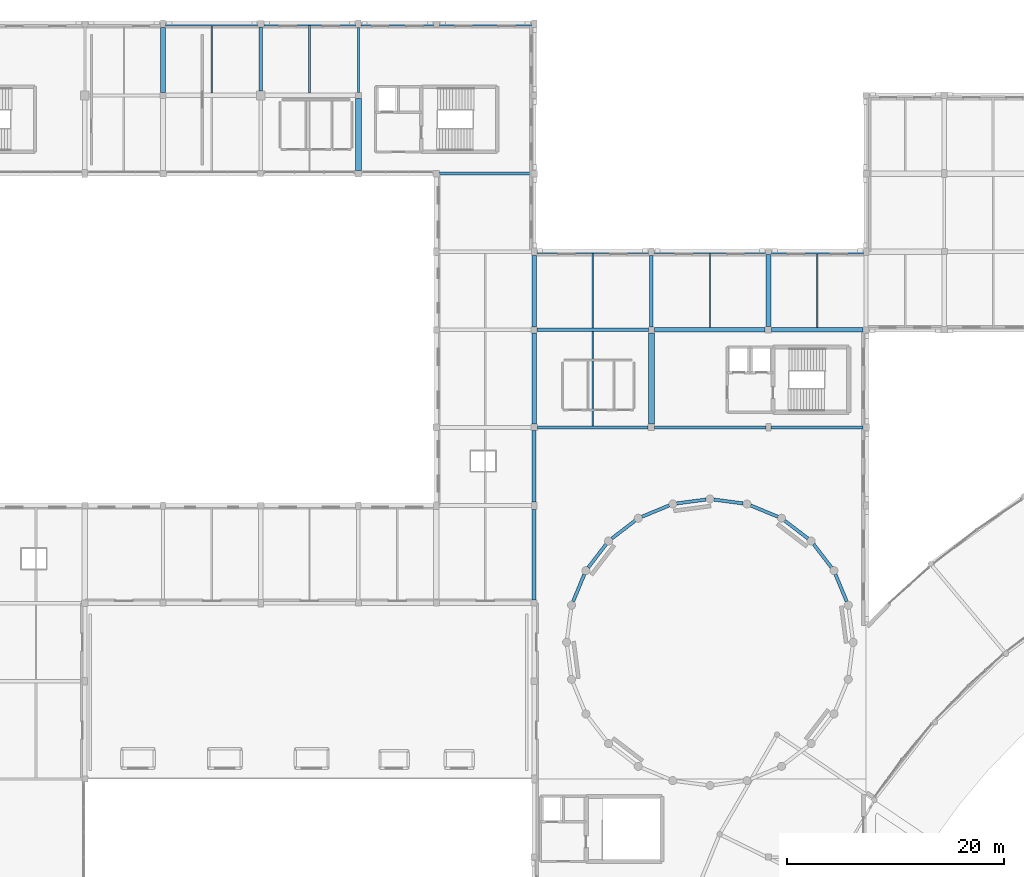
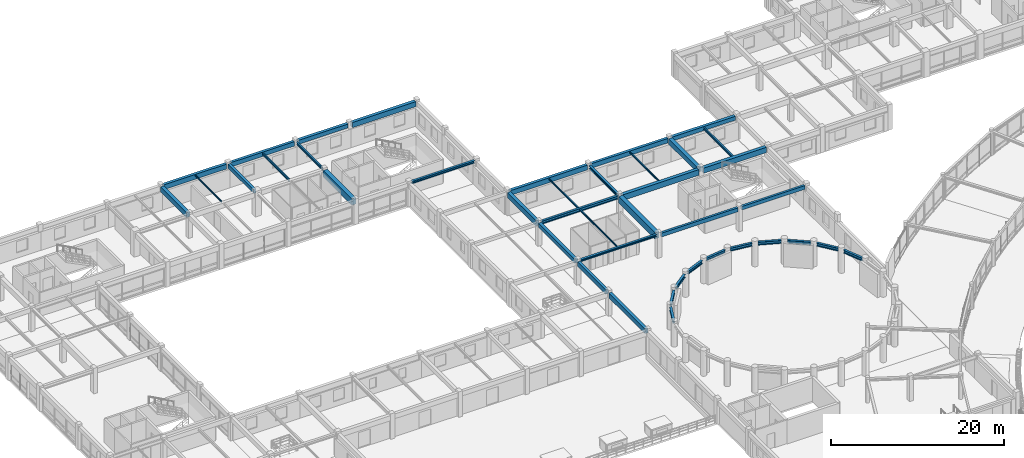
# One storey, part 27 of 74: 41 beams.
"""IFC4 building model written with IfcOpenShell, lengths in metres."""

from ifc_helpers import new_model, si_unit, direction, frame, origin, origin_2d, place, context, subcontext, project, spatial, rectangle, i_section, extrude, material, material_profile, profile_set, type_object, element, save


model = new_model("IFC4")

# Units and contexts
model_context = context("Model", 3, precision=1e-05, world=origin(), true_north=direction((0.0, 1.0)))
body_context = subcontext(model_context, "Body", "Model", "MODEL_VIEW")
ifc_project = project(units=[si_unit("LENGTHUNIT", "METRE"), si_unit("AREAUNIT", "SQUARE_METRE"), si_unit("VOLUMEUNIT", "CUBIC_METRE"), si_unit("PLANEANGLEUNIT", "RADIAN"), si_unit("MASSUNIT", "GRAM", prefix="KILO")], contexts=[model_context])

# Site, building, storey
site_placement = place(None, origin())
site = spatial("IfcSite", under=ifc_project, at=site_placement, CompositionType="ELEMENT")
building_placement = place(site_placement, origin())
building = spatial("IfcBuilding", under=site, at=building_placement, Name="Clarverna Civic Hall", CompositionType="ELEMENT")
storey_placement = place(building_placement, frame((0.0, 0.0, 9.60009765625)))
storey = spatial("IfcBuildingStorey", under=building, at=storey_placement, Name="L02", CompositionType="ELEMENT", Elevation=9.60009765625)

# Beams
ifc_material_1 = material(Name="Concrete C35/45", Category="concrete")
ifc_material_profile_1 = material_profile(ifc_material_1, rectangle(XDim=0.300048828125, YDim=0.550048828125, at=origin_2d()), Name="RC 300x550")
ifc_profile_set_1 = profile_set([ifc_material_profile_1], Name="Concrete C35/45")
beam_type_1 = type_object("IfcBeamType", Name="B-RC11", PredefinedType="BEAM", material=ifc_profile_set_1)
beam_1_placement = place(storey_placement, frame((77.699951171875, 78.800048828125, 3.0048828125), z_axis=(1.0, 0.0, 0.0), x_axis=(0.0, 1.0, 0.0)))
element("IfcBeam", 1, at=beam_1_placement, inside=storey, type_object=beam_type_1, Name="B-RC11-027", PredefinedType="BEAM", context=body_context, shape_type="SweptSolid", body=[
    extrude(rectangle(XDim=0.300048828125, YDim=0.550048828125, at=origin_2d()), origin(), (0.0, 0.0, 1.0), 10.25),
])
ifc_material_profile_2 = material_profile(ifc_material_1, rectangle(XDim=0.300048828125, YDim=0.5, at=origin_2d()), Name="RC 300x500")
ifc_profile_set_2 = profile_set([ifc_material_profile_2], Name="Concrete C35/45")
beam_type_2 = type_object("IfcBeamType", Name="B-RC12", PredefinedType="BEAM", material=ifc_profile_set_2)
beam_2_placement = place(storey_placement, frame((88.449951171875, 78.800048828125, 3.02978515625), z_axis=(1.0, 0.0, 0.0), x_axis=(0.0, 1.0, 0.0)))
element("IfcBeam", 2, at=beam_2_placement, inside=storey, type_object=beam_type_2, Name="B-RC12-038", PredefinedType="BEAM", context=body_context, shape_type="SweptSolid", body=[
    extrude(rectangle(XDim=0.300048828125, YDim=0.5, at=origin_2d()), origin(), (0.0, 0.0, 1.0), 8.449951171875),
])
ifc_material_profile_3 = material_profile(ifc_material_1, rectangle(XDim=0.550048828125, YDim=0.89990234375, at=origin_2d()), Name="RC 550x900")
ifc_profile_set_3 = profile_set([ifc_material_profile_3], Name="Concrete C35/45")
beam_type_3 = type_object("IfcBeamType", Name="B-RC13", PredefinedType="BEAM", material=ifc_profile_set_3)
beam_3_placement = place(storey_placement, frame((50.39990234375, 102.5, 2.869873046875), z_axis=(0.0, 1.0, 0.0), x_axis=(-1.0, 0.0, 0.0)))
element("IfcBeam", 3, at=beam_3_placement, inside=storey, type_object=beam_type_3, Name="B-RC13-028", PredefinedType="BEAM", context=body_context, shape_type="SweptSolid", body=[
    extrude(rectangle(XDim=0.550048828125, YDim=0.89990234375, at=origin_2d()), origin(), (0.0, 0.0, 1.0), 6.625),
])
beam_4_placement = place(storey_placement, frame((77.39990234375, 79.10009765625, 2.829833984375), z_axis=(0.0, 1.0, 0.0), x_axis=(-1.0, 0.0, 0.0)))
element("IfcBeam", 4, at=beam_4_placement, inside=storey, type_object=beam_type_3, Name="B-RC13-029", PredefinedType="BEAM", context=body_context, shape_type="SweptSolid", body=[
    extrude(rectangle(XDim=0.550048828125, YDim=0.89990234375, at=origin_2d()), origin(), (0.0, 0.0, 1.0), 8.4248046875),
])
ifc_material_profile_4 = material_profile(ifc_material_1, rectangle(XDim=0.5, YDim=0.75, at=origin_2d()), Name="RC 500x750")
ifc_profile_set_4 = profile_set([ifc_material_profile_4], Name="Concrete C35/45")
beam_type_4 = type_object("IfcBeamType", Name="B-RC15", PredefinedType="BEAM", material=ifc_profile_set_4)
beam_5_placement = place(storey_placement, frame((88.199951171875, 88.10009765625, 2.90478515625), z_axis=(0.0, 1.0, 0.0), x_axis=(-1.0, 0.0, 0.0)))
element("IfcBeam", 5, at=beam_5_placement, inside=storey, type_object=beam_type_4, Name="B-RC15-041", PredefinedType="BEAM", context=body_context, shape_type="SweptSolid", body=[
    extrude(rectangle(XDim=0.5, YDim=0.75, at=origin_2d()), origin(), (0.0, 0.0, 1.0), 6.625),
])
ifc_material_profile_5 = material_profile(ifc_material_1, rectangle(XDim=0.449951171875, YDim=0.800048828125, at=origin_2d()), Name="RC 450x800")
ifc_profile_set_5 = profile_set([ifc_material_profile_5], Name="Concrete C35/45")
beam_type_5 = type_object("IfcBeamType", Name="B-RC2", PredefinedType="BEAM", material=ifc_profile_set_5)
beam_6_placement = place(storey_placement, frame((77.675048828125, 87.800048828125, 2.8798828125), z_axis=(1.0, 0.0, 0.0), x_axis=(0.0, 1.0, 0.0)))
element("IfcBeam", 6, at=beam_6_placement, inside=storey, type_object=beam_type_5, Name="B-RC2-025", PredefinedType="BEAM", context=body_context, shape_type="SweptSolid", body=[
    extrude(rectangle(XDim=0.449951171875, YDim=0.800048828125, at=origin_2d()), origin(), (0.0, 0.0, 1.0), 10.224853515625),
])
ifc_material_profile_6 = material_profile(ifc_material_1, rectangle(XDim=0.449951171875, YDim=0.75, at=origin_2d()), Name="RC 450x750")
ifc_profile_set_6 = profile_set([ifc_material_profile_6], Name="Concrete C35/45")
beam_type_6 = type_object("IfcBeamType", Name="B-RC3", PredefinedType="BEAM", material=ifc_profile_set_6)
beam_7_placement = place(storey_placement, frame((88.5, 87.800048828125, 2.90478515625), z_axis=(1.0, 0.0, 0.0), x_axis=(0.0, 1.0, 0.0)))
element("IfcBeam", 7, at=beam_7_placement, inside=storey, type_object=beam_type_6, Name="B-RC3-029", PredefinedType="BEAM", context=body_context, shape_type="SweptSolid", body=[
    extrude(rectangle(XDim=0.449951171875, YDim=0.75, at=origin_2d()), origin(), (0.0, 0.0, 1.0), 8.425048828125),
])
ifc_material_profile_7 = material_profile(ifc_material_1, rectangle(XDim=0.449951171875, YDim=0.699951171875, at=origin_2d()), Name="RC 450x700")
ifc_profile_set_7 = profile_set([ifc_material_profile_7], Name="Concrete C35/45")
beam_type_7 = type_object("IfcBeamType", Name="B-RC4", PredefinedType="BEAM", material=ifc_profile_set_7)
beam_8_placement = place(storey_placement, frame((32.39990234375, 109.675048828125, 2.969970703125), z_axis=(0.0, 1.0, 0.0), x_axis=(-1.0, 0.0, 0.0)))
element("IfcBeam", 8, at=beam_8_placement, inside=storey, type_object=beam_type_7, Name="B-RC4-025", PredefinedType="BEAM", context=body_context, shape_type="SweptSolid", body=[
    extrude(rectangle(XDim=0.449951171875, YDim=0.699951171875, at=origin_2d()), origin(), (0.0, 0.0, 1.0), 5.974853515625),
])
ifc_material_profile_8 = material_profile(ifc_material_1, rectangle(XDim=0.35009765625, YDim=0.550048828125, at=origin_2d()), Name="RC 350x550")
ifc_profile_set_8 = profile_set([ifc_material_profile_8], Name="Concrete C35/45")
beam_type_8 = type_object("IfcBeamType", Name="B-RC9", PredefinedType="BEAM", material=ifc_profile_set_8)
beam_9_placement = place(storey_placement, frame((41.39990234375, 109.800048828125, 3.044921875), z_axis=(0.0, 1.0, 0.0), x_axis=(-1.0, 0.0, 0.0)))
element("IfcBeam", 9, at=beam_9_placement, inside=storey, type_object=beam_type_8, Name="B-RC9-038", PredefinedType="BEAM", context=body_context, shape_type="SweptSolid", body=[
    extrude(rectangle(XDim=0.35009765625, YDim=0.550048828125, at=origin_2d()), origin(), (0.0, 0.0, 1.0), 5.89990234375),
])
ifc_material_profile_9 = material_profile(ifc_material_1, rectangle(XDim=0.419921875, YDim=0.719970703125, at=origin_2d()), Name="RC 420x720")
ifc_profile_set_9 = profile_set([ifc_material_profile_9], Name="Concrete C35/45")
beam_type_9 = type_object("IfcBeamType", Name="B-SP1", PredefinedType="SPANDREL", material=ifc_profile_set_9)
beam_10_placement = place(storey_placement, frame((57.875, 116.0, 2.9599609375), z_axis=(1.0, 0.0, 0.0), x_axis=(0.0, 1.0, 0.0)))
element("IfcBeam", 10, at=beam_10_placement, inside=storey, type_object=beam_type_9, Name="B-SP1-091", PredefinedType="SPANDREL", context=body_context, shape_type="SweptSolid", body=[
    extrude(rectangle(XDim=0.419921875, YDim=0.719970703125, at=origin_2d()), origin(), (0.0, 0.0, 1.0), 8.47509765625),
])
beam_11_placement = place(storey_placement, frame((66.60009765625, 88.074951171875, 2.919921875), z_axis=(0.0, 1.0, 0.0), x_axis=(-1.0, 0.0, 0.0)))
element("IfcBeam", 11, at=beam_11_placement, inside=storey, type_object=beam_type_9, Name="B-SP1-101", PredefinedType="SPANDREL", context=body_context, shape_type="SweptSolid", body=[
    extrude(rectangle(XDim=0.419921875, YDim=0.719970703125, at=origin_2d()), origin(), (0.0, 0.0, 1.0), 6.574951171875),
])
ifc_material_profile_10 = material_profile(ifc_material_1, rectangle(XDim=0.3798828125, YDim=0.679931640625, at=origin_2d()), Name="RC 380x680")
ifc_profile_set_10 = profile_set([ifc_material_profile_10], Name="Concrete C35/45")
beam_type_10 = type_object("IfcBeamType", Name="B-SP2", PredefinedType="SPANDREL", material=ifc_profile_set_10)
beam_12_placement = place(storey_placement, frame((66.85009765625, 95.0, 2.93994140625), z_axis=(1.0, 0.0, 0.0), x_axis=(0.0, 1.0, 0.0)))
element("IfcBeam", 12, at=beam_12_placement, inside=storey, type_object=beam_type_10, Name="B-SP2-089", PredefinedType="SPANDREL", context=body_context, shape_type="SweptSolid", body=[
    extrude(rectangle(XDim=0.3798828125, YDim=0.679931640625, at=origin_2d()), origin(), (0.0, 0.0, 1.0), 10.2998046875),
])
beam_13_placement = place(storey_placement, frame((32.64990234375, 116.0, 2.97998046875), z_axis=(1.0, 0.0, 0.0), x_axis=(0.0, 1.0, 0.0)))
element("IfcBeam", 13, at=beam_13_placement, inside=storey, type_object=beam_type_10, Name="B-SP2-094", PredefinedType="SPANDREL", context=body_context, shape_type="SweptSolid", body=[
    extrude(rectangle(XDim=0.3798828125, YDim=0.679931640625, at=origin_2d()), origin(), (0.0, 0.0, 1.0), 8.4501953125),
])
beam_14_placement = place(storey_placement, frame((66.60009765625, 62.875, 2.93994140625), z_axis=(0.0, 1.0, 0.0), x_axis=(-1.0, 0.0, 0.0)))
element("IfcBeam", 14, at=beam_14_placement, inside=storey, type_object=beam_type_10, Name="B-SP2-104", PredefinedType="SPANDREL", context=body_context, shape_type="SweptSolid", body=[
    extrude(rectangle(XDim=0.3798828125, YDim=0.679931640625, at=origin_2d()), origin(), (0.0, 0.0, 1.0), 8.375),
])
ifc_material_profile_11 = material_profile(ifc_material_1, rectangle(XDim=0.360107421875, YDim=0.6201171875, at=origin_2d()), Name="RC 360x620")
ifc_profile_set_11 = profile_set([ifc_material_profile_11], Name="Concrete C35/45")
beam_type_11 = type_object("IfcBeamType", Name="B-SP3", PredefinedType="SPANDREL", material=ifc_profile_set_11)
beam_15_placement = place(storey_placement, frame((77.64990234375, 95.0, 2.969970703125), z_axis=(1.0, 0.0, 0.0), x_axis=(0.0, 1.0, 0.0)))
element("IfcBeam", 15, at=beam_15_placement, inside=storey, type_object=beam_type_11, Name="B-SP3-089", PredefinedType="SPANDREL", context=body_context, shape_type="SweptSolid", body=[
    extrude(rectangle(XDim=0.360107421875, YDim=0.6201171875, at=origin_2d()), origin(), (0.0, 0.0, 1.0), 10.275146484375),
])
beam_16_placement = place(storey_placement, frame((41.699951171875, 116.0, 3.010009765625), z_axis=(1.0, 0.0, 0.0), x_axis=(0.0, 1.0, 0.0)))
element("IfcBeam", 16, at=beam_16_placement, inside=storey, type_object=beam_type_11, Name="B-SP3-093", PredefinedType="SPANDREL", context=body_context, shape_type="SweptSolid", body=[
    extrude(rectangle(XDim=0.360107421875, YDim=0.6201171875, at=origin_2d()), origin(), (0.0, 0.0, 1.0), 8.449951171875),
])
beam_17_placement = place(storey_placement, frame((66.60009765625, 71.949951171875, 2.969970703125), z_axis=(0.0, 1.0, 0.0), x_axis=(-1.0, 0.0, 0.0)))
element("IfcBeam", 17, at=beam_17_placement, inside=storey, type_object=beam_type_11, Name="B-SP3-102", PredefinedType="SPANDREL", context=body_context, shape_type="SweptSolid", body=[
    extrude(rectangle(XDim=0.360107421875, YDim=0.6201171875, at=origin_2d()), origin(), (0.0, 0.0, 1.0), 6.550048828125),
])
ifc_material_profile_12 = material_profile(ifc_material_1, rectangle(XDim=0.39990234375, YDim=0.56005859375, at=origin_2d()), Name="RC 400x560")
ifc_profile_set_12 = profile_set([ifc_material_profile_12], Name="Concrete C35/45")
beam_type_12 = type_object("IfcBeamType", Name="B-SP4", PredefinedType="SPANDREL", material=ifc_profile_set_12)
beam_18_placement = place(storey_placement, frame((88.47509765625, 95.0, 3.0), z_axis=(1.0, 0.0, 0.0), x_axis=(0.0, 1.0, 0.0)))
element("IfcBeam", 18, at=beam_18_placement, inside=storey, type_object=beam_type_12, Name="B-SP4-087", PredefinedType="SPANDREL", context=body_context, shape_type="SweptSolid", body=[
    extrude(rectangle(XDim=0.39990234375, YDim=0.56005859375, at=origin_2d()), origin(), (0.0, 0.0, 1.0), 8.474853515625),
])
beam_19_placement = place(storey_placement, frame((50.64990234375, 116.0, 3.039794921875), z_axis=(1.0, 0.0, 0.0), x_axis=(0.0, 1.0, 0.0)))
element("IfcBeam", 19, at=beam_19_placement, inside=storey, type_object=beam_type_12, Name="B-SP4-092", PredefinedType="SPANDREL", context=body_context, shape_type="SweptSolid", body=[
    extrude(rectangle(XDim=0.39990234375, YDim=0.56005859375, at=origin_2d()), origin(), (0.0, 0.0, 1.0), 6.675048828125),
])
beam_20_placement = place(storey_placement, frame((66.60009765625, 79.10009765625, 3.0), z_axis=(0.0, 1.0, 0.0), x_axis=(-1.0, 0.0, 0.0)))
element("IfcBeam", 20, at=beam_20_placement, inside=storey, type_object=beam_type_12, Name="B-SP4-101", PredefinedType="SPANDREL", context=body_context, shape_type="SweptSolid", body=[
    extrude(rectangle(XDim=0.39990234375, YDim=0.56005859375, at=origin_2d()), origin(), (0.0, 0.0, 1.0), 8.4248046875),
])
ifc_material_2 = material(Name="Steel S355", Category="steel")
ifc_material_profile_13 = material_profile(ifc_material_2, i_section(OverallWidth=0.300048828125, OverallDepth=0.2900390625, WebThickness=0.008544921875, FlangeThickness=0.013916015625, FilletRadius=0.027099609375, at=origin_2d()), Name="HEA 300")
ifc_profile_set_13 = profile_set([ifc_material_profile_13], Name="Steel S355")
beam_type_13 = type_object("IfcBeamType", Name="B-ST10", PredefinedType="BEAM", material=ifc_profile_set_13)
beam_21_placement = place(storey_placement, frame((66.89990234375, 78.800048828125, 3.135009765625), z_axis=(1.0, 0.0, 0.0), x_axis=(0.0, 1.0, 0.0)))
element("IfcBeam", 21, at=beam_21_placement, inside=storey, type_object=beam_type_13, Name="B-ST10-008", PredefinedType="BEAM", context=body_context, shape_type="SweptSolid", body=[
    extrude(i_section(OverallWidth=0.300048828125, OverallDepth=0.2900390625, WebThickness=0.008544921875, FlangeThickness=0.013916015625, FilletRadius=0.027099609375, at=origin_2d()), origin(), (0.0, 0.0, 1.0), 10.2001953125),
])
ifc_material_profile_14 = material_profile(ifc_material_2, i_section(OverallWidth=0.179931640625, OverallDepth=0.39990234375, WebThickness=0.008544921875, FlangeThickness=0.013427734375, FilletRadius=0.02099609375, at=origin_2d()), Name="IPE 400")
ifc_profile_set_14 = profile_set([ifc_material_profile_14], Name="Steel S355")
beam_type_14 = type_object("IfcBeamType", Name="B-ST14", PredefinedType="BEAM", material=ifc_profile_set_14)
beam_22_placement = place(storey_placement, frame((50.39990234375, 109.675048828125, 3.119873046875), z_axis=(0.0, 1.0, 0.0), x_axis=(-1.0, 0.0, 0.0)))
element("IfcBeam", 22, at=beam_22_placement, inside=storey, type_object=beam_type_14, Name="B-ST14-012", PredefinedType="BEAM", context=body_context, shape_type="SweptSolid", body=[
    extrude(i_section(OverallWidth=0.179931640625, OverallDepth=0.39990234375, WebThickness=0.008544921875, FlangeThickness=0.013427734375, FilletRadius=0.02099609375, at=origin_2d()), origin(), (0.0, 0.0, 1.0), 5.974853515625),
])
ifc_material_profile_15 = material_profile(ifc_material_2, i_section(OverallWidth=0.300048828125, OverallDepth=0.39990234375, WebThickness=0.013427734375, FlangeThickness=0.02392578125, FilletRadius=0.027099609375, at=origin_2d()), Name="HEB 400")
ifc_profile_set_15 = profile_set([ifc_material_profile_15], Name="Steel S355")
beam_type_15 = type_object("IfcBeamType", Name="B-ST4", PredefinedType="BEAM", material=ifc_profile_set_15)
beam_23_placement = place(storey_placement, frame((77.39990234375, 88.074951171875, 3.079833984375), z_axis=(0.0, 1.0, 0.0), x_axis=(-1.0, 0.0, 0.0)))
element("IfcBeam", 23, at=beam_23_placement, inside=storey, type_object=beam_type_15, Name="B-ST4-009", PredefinedType="BEAM", context=body_context, shape_type="SweptSolid", body=[
    extrude(i_section(OverallWidth=0.300048828125, OverallDepth=0.39990234375, WebThickness=0.013427734375, FlangeThickness=0.02392578125, FilletRadius=0.027099609375, at=origin_2d()), origin(), (0.0, 0.0, 1.0), 6.574951171875),
])
ifc_material_profile_16 = material_profile(ifc_material_2, i_section(OverallWidth=0.300048828125, OverallDepth=0.43994140625, WebThickness=0.011474609375, FlangeThickness=0.02099609375, FilletRadius=0.027099609375, at=origin_2d()), Name="HEA 450")
ifc_profile_set_16 = profile_set([ifc_material_profile_16], Name="Steel S355")
beam_type_16 = type_object("IfcBeamType", Name="B-ST5", PredefinedType="BEAM", material=ifc_profile_set_16)
beam_24_placement = place(storey_placement, frame((66.875, 87.800048828125, 3.059814453125), z_axis=(1.0, 0.0, 0.0), x_axis=(0.0, 1.0, 0.0)))
element("IfcBeam", 24, at=beam_24_placement, inside=storey, type_object=beam_type_16, Name="B-ST5-081", PredefinedType="BEAM", context=body_context, shape_type="SweptSolid", body=[
    extrude(i_section(OverallWidth=0.300048828125, OverallDepth=0.43994140625, WebThickness=0.011474609375, FlangeThickness=0.02099609375, FilletRadius=0.027099609375, at=origin_2d()), origin(), (0.0, 0.0, 1.0), 10.25),
])
for number, where, z_axis, x_axis, name in (
    (25, (95.412353515625, 62.7490234375, 3.059814453125), (-0.382636575073, 0.923898940045, 0.0), (-0.923898940045, -0.382636575073, 0.0), "B-ST5-085"),
    (26, (94.01220703125, 65.885498046875, 3.059814453125), (-0.608706041243, 0.793395837747, 0.0), (-0.793395837747, -0.608706041243, 0.0), "B-ST5-086"),
    (27, (91.84814453125, 68.552978515625, 3.059814453125), (-0.793352581563, 0.608762417801, 0.0), (-0.608762417801, -0.793352581563, 0.0), "B-ST5-087"),
    (28, (89.0673828125, 70.5693359375, 3.059814453125), (-0.923898940045, 0.382636575073, 0.0), (-0.382636575073, -0.923898940045, 0.0), "B-ST5-088"),
):
    element("IfcBeam", number, at=place(storey_placement, frame(where, z_axis=z_axis, x_axis=x_axis)), inside=storey, type_object=beam_type_16, Name=name, PredefinedType="BEAM", context=body_context, shape_type="SweptSolid", body=[
        extrude(i_section(OverallWidth=0.300048828125, OverallDepth=0.43994140625, WebThickness=0.011474609375, FlangeThickness=0.02099609375, FilletRadius=0.027099609375, at=origin_2d()), origin(), (0.0, 0.0, 1.0), 2.725830078125),
    ])
for number, where, z_axis, x_axis, name in (
    (29, (85.859619140625, 71.797119140625, 3.059814453125), (-0.991437826512, 0.130579616175, 0.0), (-0.130579616175, -0.991437826512, 0.0), "B-ST5-089"),
    (30, (82.443115234375, 72.153076171875, 3.059814453125), (-0.991437826512, -0.130579616175, 0.0), (0.130579616175, -0.991437826512, 0.0), "B-ST5-090"),
):
    element("IfcBeam", number, at=place(storey_placement, frame(where, z_axis=z_axis, x_axis=x_axis)), inside=storey, type_object=beam_type_16, Name=name, PredefinedType="BEAM", context=body_context, shape_type="SweptSolid", body=[
        extrude(i_section(OverallWidth=0.300048828125, OverallDepth=0.43994140625, WebThickness=0.011474609375, FlangeThickness=0.02099609375, FilletRadius=0.027099609375, at=origin_2d()), origin(), (0.0, 0.0, 1.0), 2.72607421875),
    ])
for number, where, z_axis, x_axis, name in (
    (31, (79.051025390625, 71.6123046875, 3.059814453125), (-0.923898940045, -0.382636575073, 0.0), (0.382636575073, -0.923898940045, 0.0), "B-ST5-091"),
    (32, (75.914306640625, 70.21240234375, 3.059814453125), (-0.793352581563, -0.608762417801, 0.0), (0.608762417801, -0.793352581563, 0.0), "B-ST5-092"),
    (33, (73.2470703125, 68.048095703125, 3.059814453125), (-0.608762417801, -0.793352581563, 0.0), (0.793352581563, -0.608762417801, 0.0), "B-ST5-093"),
    (34, (71.230712890625, 65.267333984375, 3.059814453125), (-0.38271302584, -0.923867273938, 0.0), (0.923867273938, -0.38271302584, 0.0), "B-ST5-094"),
):
    element("IfcBeam", number, at=place(storey_placement, frame(where, z_axis=z_axis, x_axis=x_axis)), inside=storey, type_object=beam_type_16, Name=name, PredefinedType="BEAM", context=body_context, shape_type="SweptSolid", body=[
        extrude(i_section(OverallWidth=0.300048828125, OverallDepth=0.43994140625, WebThickness=0.011474609375, FlangeThickness=0.02099609375, FilletRadius=0.027099609375, at=origin_2d()), origin(), (0.0, 0.0, 1.0), 2.725830078125),
    ])
ifc_material_profile_17 = material_profile(ifc_material_2, i_section(OverallWidth=0.300048828125, OverallDepth=0.35009765625, WebThickness=0.010009765625, FlangeThickness=0.017578125, FilletRadius=0.027099609375, at=origin_2d()), Name="HEA 360")
ifc_profile_set_17 = profile_set([ifc_material_profile_17], Name="Steel S355")
beam_type_17 = type_object("IfcBeamType", Name="B-ST7", PredefinedType="BEAM", material=ifc_profile_set_17)
beam_25_placement = place(storey_placement, frame((57.89990234375, 102.199951171875, 3.14501953125), z_axis=(1.0, 0.0, 0.0), x_axis=(0.0, 1.0, 0.0)))
element("IfcBeam", 35, at=beam_25_placement, inside=storey, type_object=beam_type_17, Name="B-ST7-011", PredefinedType="BEAM", context=body_context, shape_type="SweptSolid", body=[
    extrude(i_section(OverallWidth=0.300048828125, OverallDepth=0.35009765625, WebThickness=0.010009765625, FlangeThickness=0.017578125, FilletRadius=0.027099609375, at=origin_2d()), origin(), (0.0, 0.0, 1.0), 8.400146484375),
])
ifc_material_profile_18 = material_profile(ifc_material_2, i_section(OverallWidth=0.169921875, OverallDepth=0.360107421875, WebThickness=0.008056640625, FlangeThickness=0.0126953125, FilletRadius=0.01806640625, at=origin_2d()), Name="IPE 360")
ifc_profile_set_18 = profile_set([ifc_material_profile_18], Name="Steel S355")
beam_type_18 = type_object("IfcBeamType", Name="J-ST1", PredefinedType="JOIST", material=ifc_profile_set_18)
beam_26_placement = place(storey_placement, frame((92.699951171875, 88.02490234375, 3.099853515625), z_axis=(0.0, 1.0, 0.0), x_axis=(-1.0, 0.0, 0.0)))
element("IfcBeam", 36, at=beam_26_placement, inside=storey, type_object=beam_type_18, Name="J-ST1-055", PredefinedType="JOIST", context=body_context, shape_type="SweptSolid", body=[
    extrude(i_section(OverallWidth=0.169921875, OverallDepth=0.360107421875, WebThickness=0.008056640625, FlangeThickness=0.0126953125, FilletRadius=0.01806640625, at=origin_2d()), origin(), (0.0, 0.0, 1.0), 6.775146484375),
])
beam_27_placement = place(storey_placement, frame((45.89990234375, 109.60009765625, 3.139892578125), z_axis=(0.0, 1.0, 0.0), x_axis=(-1.0, 0.0, 0.0)))
element("IfcBeam", 37, at=beam_27_placement, inside=storey, type_object=beam_type_18, Name="J-ST1-059", PredefinedType="JOIST", context=body_context, shape_type="SweptSolid", body=[
    extrude(i_section(OverallWidth=0.169921875, OverallDepth=0.360107421875, WebThickness=0.008056640625, FlangeThickness=0.0126953125, FilletRadius=0.01806640625, at=origin_2d()), origin(), (0.0, 0.0, 1.0), 6.219970703125),
])
ifc_material_profile_19 = material_profile(ifc_material_2, i_section(OverallWidth=0.1201171875, OverallDepth=0.239990234375, WebThickness=0.006103515625, FlangeThickness=0.009765625, FilletRadius=0.014892578125, at=origin_2d()), Name="IPE 240")
ifc_profile_set_19 = profile_set([ifc_material_profile_19], Name="Steel S355")
beam_type_19 = type_object("IfcBeamType", Name="J-ST5", PredefinedType="JOIST", material=ifc_profile_set_19)
beam_28_placement = place(storey_placement, frame((72.0, 87.949951171875, 3.159912109375), z_axis=(0.0, 1.0, 0.0), x_axis=(-1.0, 0.0, 0.0)))
element("IfcBeam", 38, at=beam_28_placement, inside=storey, type_object=beam_type_19, Name="J-ST5-054", PredefinedType="JOIST", context=body_context, shape_type="SweptSolid", body=[
    extrude(i_section(OverallWidth=0.1201171875, OverallDepth=0.239990234375, WebThickness=0.006103515625, FlangeThickness=0.009765625, FilletRadius=0.014892578125, at=origin_2d()), origin(), (0.0, 0.0, 1.0), 6.860107421875),
])
ifc_material_profile_20 = material_profile(ifc_material_2, i_section(OverallWidth=0.110107421875, OverallDepth=0.219970703125, WebThickness=0.005859375, FlangeThickness=0.00927734375, FilletRadius=0.011962890625, at=origin_2d()), Name="IPE 220")
ifc_profile_set_20 = profile_set([ifc_material_profile_20], Name="Steel S355")
beam_type_20 = type_object("IfcBeamType", Name="J-ST6", PredefinedType="JOIST", material=ifc_profile_set_20)
beam_29_placement = place(storey_placement, frame((72.0, 78.949951171875, 3.169921875), z_axis=(0.0, 1.0, 0.0), x_axis=(-1.0, 0.0, 0.0)))
element("IfcBeam", 39, at=beam_29_placement, inside=storey, type_object=beam_type_20, Name="J-ST6-054", PredefinedType="JOIST", context=body_context, shape_type="SweptSolid", body=[
    extrude(i_section(OverallWidth=0.110107421875, OverallDepth=0.219970703125, WebThickness=0.005859375, FlangeThickness=0.00927734375, FilletRadius=0.011962890625, at=origin_2d()), origin(), (0.0, 0.0, 1.0), 8.699951171875),
])
beam_30_placement = place(storey_placement, frame((82.800048828125, 88.02490234375, 3.169921875), z_axis=(0.0, 1.0, 0.0), x_axis=(-1.0, 0.0, 0.0)))
element("IfcBeam", 40, at=beam_30_placement, inside=storey, type_object=beam_type_20, Name="J-ST6-055", PredefinedType="JOIST", context=body_context, shape_type="SweptSolid", body=[
    extrude(i_section(OverallWidth=0.110107421875, OverallDepth=0.219970703125, WebThickness=0.005859375, FlangeThickness=0.00927734375, FilletRadius=0.011962890625, at=origin_2d()), origin(), (0.0, 0.0, 1.0), 6.795166015625),
])
beam_31_placement = place(storey_placement, frame((36.89990234375, 109.60009765625, 3.2099609375), z_axis=(0.0, 1.0, 0.0), x_axis=(-1.0, 0.0, 0.0)))
element("IfcBeam", 41, at=beam_31_placement, inside=storey, type_object=beam_type_20, Name="J-ST6-059", PredefinedType="JOIST", context=body_context, shape_type="SweptSolid", body=[
    extrude(i_section(OverallWidth=0.110107421875, OverallDepth=0.219970703125, WebThickness=0.005859375, FlangeThickness=0.00927734375, FilletRadius=0.011962890625, at=origin_2d()), origin(), (0.0, 0.0, 1.0), 6.2099609375),
])

save(model, "model.ifc")
